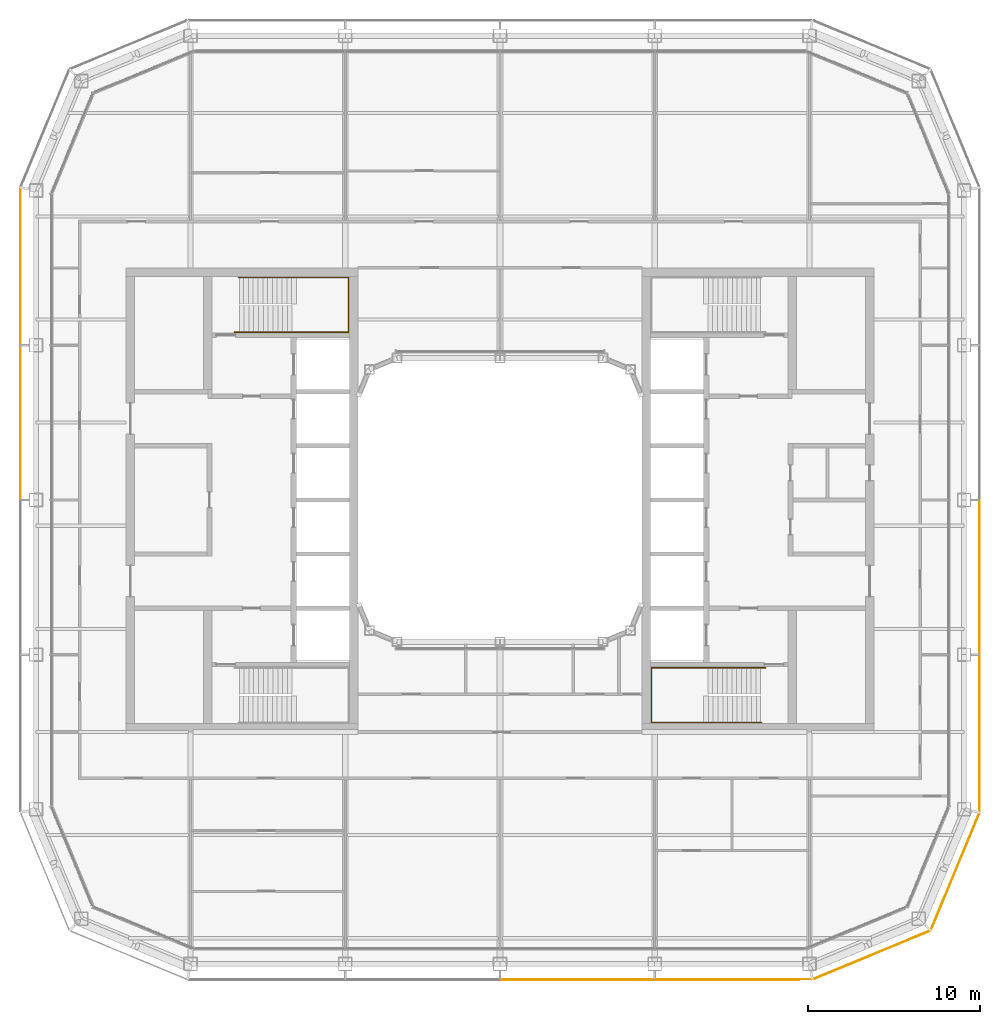
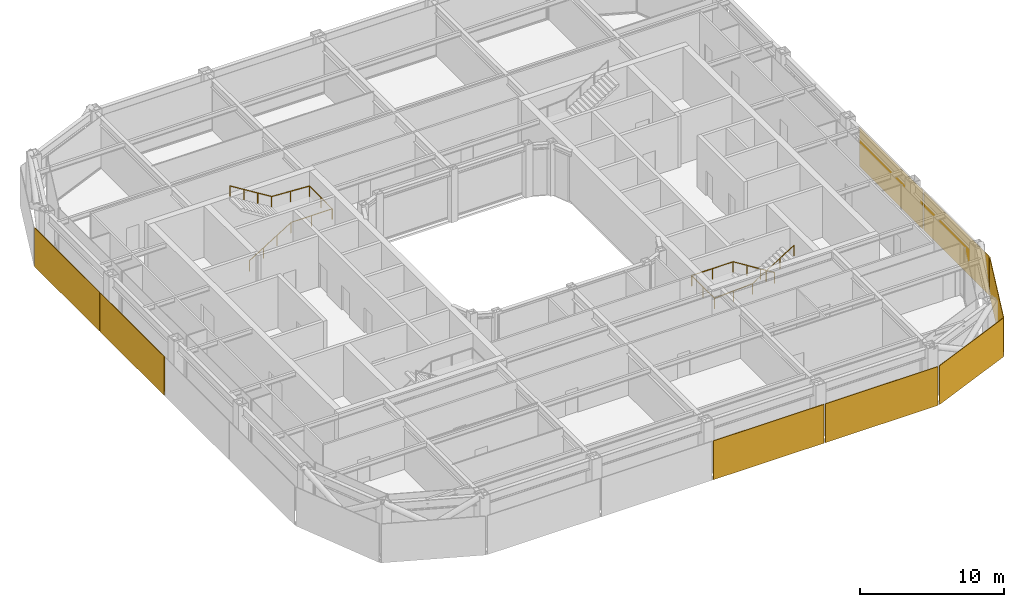
# One storey, part 17 of 19: 8 coverings, 2 railings.
"""IFC4 building model written with IfcOpenShell, lengths in metres."""

import ifcopenshell
import ifcopenshell.guid

model = None  # the IFC model being written
_history = None  # IfcOwnerHistory: only IFC2X3 demands one
_inside = {}  # id of a spatial element -> (the spatial element, [elements in it])
_under = {}  # id of a project, library or spatial element -> (it, [spatial elements below it])
_declared = {}  # id of a project -> (the project, [libraries it declares])
_typed = {}  # id of a type object -> (the type object, [elements of that type])
_made_of = {}  # id of a material, layer set ... -> (it, [elements and type objects made of it])


def new_model(schema):
    """Start an empty IFC model of exactly this schema.

    Asked for "IFC4X3", IfcOpenShell would pick the latest addendum, in which some entities
    have other attributes; the version numbers below select the first issue.
    IFC2X3 requires an IfcOwnerHistory on every rooted entity: one is made here for all.
    """
    global model, _history
    if schema == "IFC4X3":
        model = ifcopenshell.file(schema_version=(4, 3, 0, 0))
    else:
        model = ifcopenshell.file(schema=schema)
    _inside.clear()
    _under.clear()
    _declared.clear()
    _typed.clear()
    _made_of.clear()
    _history = None
    if model.schema == "IFC2X3":
        org = make("IfcOrganization", Name="unknown")
        user = make(
            "IfcPersonAndOrganization",
            ThePerson=make("IfcPerson", FamilyName="unknown"),
            TheOrganization=org,
        )
        app = make(
            "IfcApplication",
            ApplicationDeveloper=org,
            Version="unknown",
            ApplicationFullName="unknown",
            ApplicationIdentifier="unknown",
        )
        _history = make(
            "IfcOwnerHistory",
            OwningUser=user,
            OwningApplication=app,
            ChangeAction="ADDED",
            CreationDate=0,
        )
    return model


def make(cls, **values):
    """One entity of the class cls with the attributes given. An attribute that is None is left unset."""
    return model.create_entity(
        cls, **{name: value for name, value in values.items() if value is not None}
    )


def rooted(cls, **values):
    """An entity with a GlobalId (a new one), such as an element, a storey or a relation."""
    return make(cls, GlobalId=ifcopenshell.guid.new(), OwnerHistory=_history, **values)


def si_unit(unit_type, name, prefix=None):
    """IfcSIUnit, for example si_unit("LENGTHUNIT", "METRE", prefix="MILLI")."""
    return make("IfcSIUnit", UnitType=unit_type, Prefix=prefix, Name=name)


def assignment(units):
    """IfcUnitAssignment: the units of a project."""
    return None if units is None else make("IfcUnitAssignment", Units=units)


def point(xyz):
    """IfcCartesianPoint."""
    return None if xyz is None else make("IfcCartesianPoint", Coordinates=xyz)


def direction(xyz):
    """IfcDirection."""
    return None if xyz is None else make("IfcDirection", DirectionRatios=xyz)


def frame(location, z_axis=None, x_axis=None):
    """IfcAxis2Placement3D, a coordinate frame: its origin and axes. An axis left out is left unset."""
    return make(
        "IfcAxis2Placement3D",
        Location=point(location),
        Axis=direction(z_axis),
        RefDirection=direction(x_axis),
    )


def frame_2d(location, x_axis=None):
    """IfcAxis2Placement2D, a coordinate frame in the plane: its origin and x axis."""
    return make(
        "IfcAxis2Placement2D", Location=point(location), RefDirection=direction(x_axis)
    )


def origin():
    """The frame at (0, 0, 0) with its axes left unset."""
    return frame((0.0, 0.0, 0.0))


def origin_2d():
    """The frame at (0, 0) in the plane with its x axis left unset."""
    return frame_2d((0.0, 0.0))


def place(relative_to, where):
    """IfcLocalPlacement: puts the frame where relative to a parent placement (None: the world)."""
    return make(
        "IfcLocalPlacement", PlacementRelTo=relative_to, RelativePlacement=where
    )


def context(
    kind, dimensions, precision=None, world=None, true_north=None, identifier=None
):
    """IfcGeometricRepresentationContext, for example the 3D "Model" context."""
    return make(
        "IfcGeometricRepresentationContext",
        ContextIdentifier=identifier,
        ContextType=kind,
        CoordinateSpaceDimension=dimensions,
        Precision=precision,
        WorldCoordinateSystem=world,
        TrueNorth=true_north,
    )


def subcontext(parent, identifier, kind, view, scale=None):
    """IfcGeometricRepresentationSubContext, for example "Body" below "Model"."""
    return make(
        "IfcGeometricRepresentationSubContext",
        ContextIdentifier=identifier,
        ContextType=kind,
        ParentContext=parent,
        TargetScale=scale,
        TargetView=view,
    )


def project(units=None, contexts=None):
    """IfcProject with its units and contexts."""
    return rooted(
        "IfcProject",
        Name="project",
        RepresentationContexts=contexts,
        UnitsInContext=assignment(units),
    )


def spatial(cls, under=None, at=None, **own):
    """A site, building, storey or space (cls), placed at a placement, below another one or the project."""
    s = rooted(cls, ObjectPlacement=at, **own)
    if under is not None:
        _under.setdefault(under.id(), (under, []))[1].append(s)
    return s


def profile(cls, at=None, kind="AREA", **sizes):
    """A parametric profile (cls). Its sizes go by their IFC names, for example OverallWidth=200.0."""
    return make(cls, ProfileType=kind, Position=at, **sizes)


def rectangle(**sizes):
    """IfcRectangleProfileDef."""
    return profile("IfcRectangleProfileDef", **sizes)


def circle(**sizes):
    """IfcCircleProfileDef."""
    return profile("IfcCircleProfileDef", **sizes)


def extrude(swept, where, along, depth):
    """IfcExtrudedAreaSolid: the profile swept, set in the frame where, extruded along a direction by depth."""
    return make(
        "IfcExtrudedAreaSolid",
        SweptArea=swept,
        Position=where,
        ExtrudedDirection=direction(along),
        Depth=depth,
    )


def shape(context_of_items, identifier, shape_type, items):
    """IfcShapeRepresentation: the items that make up one representation, for example the "Body"."""
    return make(
        "IfcShapeRepresentation",
        ContextOfItems=context_of_items,
        RepresentationIdentifier=identifier,
        RepresentationType=shape_type,
        Items=items,
    )


def material(Name=None, Category=None):
    """IfcMaterial."""
    return make("IfcMaterial", Name=Name, Category=Category)


def layer(
    of_material, thickness, ventilated=None, Name=None, Category=None, Priority=None
):
    """IfcMaterialLayer: one layer of a wall or slab, of a material (None: an air gap)."""
    return make(
        "IfcMaterialLayer",
        Material=of_material,
        LayerThickness=thickness,
        IsVentilated=ventilated,
        Name=Name,
        Category=Category,
        Priority=Priority,
    )


def layer_set(layers, Name=None):
    """IfcMaterialLayerSet."""
    return make("IfcMaterialLayerSet", MaterialLayers=layers, LayerSetName=Name)


def made_of(thing, what):
    """Note that an element or type object is made of a material, layer set ...; save() writes the relation."""
    if what is not None:
        _made_of.setdefault(what.id(), (what, []))[1].append(thing)
    return thing


def type_object(cls, material=None, **own):
    """A type object (cls), such as IfcWallType, which elements share."""
    return made_of(rooted(cls, **own), material)


def element(
    cls,
    number,
    at=None,
    inside=None,
    cuts=None,
    type_object=None,
    material=None,
    context=None,
    identifier="Body",
    shape_type=None,
    held_by="IfcProductDefinitionShape",
    body=None,
    shapes=None,
    **own,
):
    """One element of the class cls, such as IfcWall. Its Tag is "e" and its number.

    at: its placement. inside: the storey or other place that contains it. cuts: it is an
    opening in that element (IfcRelVoidsElement). A single representation is given by context,
    identifier, shape_type and body (its items); several are given by shapes. held_by: the class
    of the entity that holds the representations. save() writes the other relations.
    """
    e = rooted(cls, Tag="e%d" % number, ObjectPlacement=at, **own)
    if body is not None:
        shapes = [shape(context, identifier, shape_type, body)]
    if shapes is not None:
        e.Representation = make(held_by, Representations=shapes)
    if inside is not None:
        _inside.setdefault(inside.id(), (inside, []))[1].append(e)
    if cuts is not None:
        rooted(
            "IfcRelVoidsElement", RelatingBuildingElement=cuts, RelatedOpeningElement=e
        )
    if type_object is not None:
        _typed.setdefault(type_object.id(), (type_object, []))[1].append(e)
    return made_of(e, material)


def aggregate(whole, parts):
    """IfcRelAggregates: a whole, such as a stair, and the parts it consists of."""
    return rooted("IfcRelAggregates", RelatingObject=whole, RelatedObjects=parts)


def save(model, path):
    """Write the relations noted so far, then the file.

    IfcRelAggregates (storeys below a building ...), IfcRelContainedInSpatialStructure (elements
    in a storey), IfcRelDefinesByType, IfcRelAssociatesMaterial and IfcRelDeclares: one each for
    every whole, place, type object, material and project.
    """
    for whole, parts in _under.values():
        aggregate(whole, parts)
    for where, things in _inside.values():
        rooted(
            "IfcRelContainedInSpatialStructure",
            RelatedElements=things,
            RelatingStructure=where,
        )
    for kind, things in _typed.values():
        rooted("IfcRelDefinesByType", RelatedObjects=things, RelatingType=kind)
    for what, things in _made_of.values():
        rooted("IfcRelAssociatesMaterial", RelatedObjects=things, RelatingMaterial=what)
    for by, libraries in _declared.values():
        rooted("IfcRelDeclares", RelatingContext=by, RelatedDefinitions=libraries)
    model.write(path)


model = new_model("IFC4")

# Units and contexts
model_context = context("Model", 3, precision=1e-05, world=origin(), true_north=direction((0.0, 1.0)))
body_context = subcontext(model_context, "Body", "Model", "MODEL_VIEW")
ifc_project = project(units=[si_unit("LENGTHUNIT", "METRE"), si_unit("AREAUNIT", "SQUARE_METRE"), si_unit("VOLUMEUNIT", "CUBIC_METRE"), si_unit("PLANEANGLEUNIT", "RADIAN"), si_unit("MASSUNIT", "GRAM", prefix="KILO")], contexts=[model_context])

# Site, building, storey
site_placement = place(None, origin())
site = spatial("IfcSite", under=ifc_project, at=site_placement, CompositionType="ELEMENT")
building_placement = place(site_placement, origin())
building = spatial("IfcBuilding", under=site, at=building_placement, Name="Siwar Civic Tower", CompositionType="ELEMENT")
storey_placement = place(building_placement, frame((0.0, 0.0, 264.699951171875)))
storey = spatial("IfcBuildingStorey", under=building, at=storey_placement, Name="L57", CompositionType="ELEMENT", Elevation=264.699951171875)

# Railings
ifc_material_1 = material(Name="Stainless steel", Category="steel")
railing_type = type_object("IfcRailingType", Name="CORE-STAIR-HANDRAIL", PredefinedType="HANDRAIL", material=ifc_material_1)
railing_1_placement = place(storey_placement, frame((-15.449951171875, 9.758056640625, 0.173095703125)))
element("IfcRailing", 1, at=railing_1_placement, inside=storey, type_object=railing_type, Name="Stair handrail ST1", PredefinedType="HANDRAIL", context=body_context, shape_type="SweptSolid", body=[
    extrude(circle(Radius=0.02001953125, at=origin_2d()), frame((0.0, 0.0, 0.8798828125), z_axis=(0.847063342986, 0.0, 0.531491950051), x_axis=(0.0, 1.0, 0.0)), (0.0, 0.0, 1.0), 3.90771484375),
    extrude(circle(Radius=0.02001953125, at=origin_2d()), frame((3.31005859375, 0.0, 2.956787109375), z_axis=(1.0, 0.0, 0.0), x_axis=(0.0, 1.0, 0.0)), (0.0, 0.0, 1.0), 3.331787109375),
    extrude(circle(Radius=0.02001953125, at=origin_2d()), frame((6.641845703125, 0.0, 2.956787109375), z_axis=(0.0, 1.0, 0.0), x_axis=(-1.0, 0.0, 0.0)), (0.0, 0.0, 1.0), 3.183837890625),
    extrude(circle(Radius=0.02001953125, at=origin_2d()), frame((6.641845703125, 3.183837890625, 2.956787109375), z_axis=(-0.99837434197, 0.0, 0.056997134106), x_axis=(0.0, -1.0, 0.0)), (0.0, 0.0, 1.0), 3.036865234375),
    extrude(circle(Radius=0.02001953125, at=origin_2d()), frame((3.60986328125, 3.183837890625, 3.1298828125), z_axis=(-0.850606129759, 0.0, 0.525803396734), x_axis=(0.0, -1.0, 0.0)), (0.0, 0.0, 1.0), 3.949951171875),
    extrude(circle(Radius=0.02001953125, at=origin_2d()), origin(), (0.0, 0.0, 1.0), 0.85986328125),
    extrude(circle(Radius=0.02001953125, at=origin_2d()), frame((1.103271484375, 0.0, 0.6923828125)), (0.0, 0.0, 1.0), 0.85986328125),
    extrude(circle(Radius=0.02001953125, at=origin_2d()), frame((2.206787109375, 0.0, 1.384521484375)), (0.0, 0.0, 1.0), 0.85986328125),
    extrude(circle(Radius=0.02001953125, at=origin_2d()), frame((3.31005859375, 0.0, 2.076904296875)), (0.0, 0.0, 1.0), 0.85986328125),
    extrude(circle(Radius=0.02001953125, at=origin_2d()), frame((4.97607421875, 0.0, 2.076904296875)), (0.0, 0.0, 1.0), 0.85986328125),
    extrude(circle(Radius=0.02001953125, at=origin_2d()), frame((6.641845703125, 0.0, 2.076904296875)), (0.0, 0.0, 1.0), 0.85986328125),
    extrude(circle(Radius=0.02001953125, at=origin_2d()), frame((6.641845703125, 1.591796875, 2.076904296875)), (0.0, 0.0, 1.0), 0.85986328125),
    extrude(circle(Radius=0.02001953125, at=origin_2d()), frame((6.641845703125, 3.183837890625, 2.076904296875)), (0.0, 0.0, 1.0), 0.85986328125),
    extrude(circle(Radius=0.02001953125, at=origin_2d()), frame((5.1259765625, 3.183837890625, 2.16357421875)), (0.0, 0.0, 1.0), 0.85986328125),
    extrude(circle(Radius=0.02001953125, at=origin_2d()), frame((3.60986328125, 3.183837890625, 2.25)), (0.0, 0.0, 1.0), 0.85986328125),
    extrude(circle(Radius=0.02001953125, at=origin_2d()), frame((2.489990234375, 3.183837890625, 2.9423828125)), (0.0, 0.0, 1.0), 0.85986328125),
    extrude(circle(Radius=0.02001953125, at=origin_2d()), frame((1.369873046875, 3.183837890625, 3.634521484375)), (0.0, 0.0, 1.0), 0.85986328125),
    extrude(circle(Radius=0.02001953125, at=origin_2d()), frame((0.25, 3.183837890625, 4.326904296875)), (0.0, 0.0, 1.0), 0.85986328125),
])
railing_2_placement = place(storey_placement, frame((15.449951171875, -9.758056640625, 0.173095703125)))
element("IfcRailing", 2, at=railing_2_placement, inside=storey, type_object=railing_type, Name="Stair handrail ST4", PredefinedType="HANDRAIL", context=body_context, shape_type="SweptSolid", body=[
    extrude(circle(Radius=0.02001953125, at=origin_2d()), frame((0.0, 0.0, 0.8798828125), z_axis=(-0.847063342986, 0.0, 0.531491950051), x_axis=(0.0, -1.0, 0.0)), (0.0, 0.0, 1.0), 3.90771484375),
    extrude(circle(Radius=0.02001953125, at=origin_2d()), frame((-3.31005859375, 0.0, 2.956787109375), z_axis=(-1.0, 0.0, 0.0), x_axis=(0.0, -1.0, 0.0)), (0.0, 0.0, 1.0), 3.331787109375),
    extrude(circle(Radius=0.02001953125, at=origin_2d()), frame((-6.641845703125, 0.0, 2.956787109375), z_axis=(0.0, -1.0, 0.0), x_axis=(1.0, 0.0, 0.0)), (0.0, 0.0, 1.0), 3.183837890625),
    extrude(circle(Radius=0.02001953125, at=origin_2d()), frame((-6.641845703125, -3.183837890625, 2.956787109375), z_axis=(0.99837434197, 0.0, 0.056997134106), x_axis=(0.0, 1.0, 0.0)), (0.0, 0.0, 1.0), 3.036865234375),
    extrude(circle(Radius=0.02001953125, at=origin_2d()), frame((-3.60986328125, -3.183837890625, 3.1298828125), z_axis=(0.850606129759, 0.0, 0.525803396734), x_axis=(0.0, 1.0, 0.0)), (0.0, 0.0, 1.0), 3.949951171875),
    extrude(circle(Radius=0.02001953125, at=origin_2d()), origin(), (0.0, 0.0, 1.0), 0.85986328125),
    extrude(circle(Radius=0.02001953125, at=origin_2d()), frame((-1.103271484375, 0.0, 0.6923828125)), (0.0, 0.0, 1.0), 0.85986328125),
    extrude(circle(Radius=0.02001953125, at=origin_2d()), frame((-2.206787109375, 0.0, 1.384521484375)), (0.0, 0.0, 1.0), 0.85986328125),
    extrude(circle(Radius=0.02001953125, at=origin_2d()), frame((-3.31005859375, 0.0, 2.076904296875)), (0.0, 0.0, 1.0), 0.85986328125),
    extrude(circle(Radius=0.02001953125, at=origin_2d()), frame((-4.97607421875, 0.0, 2.076904296875)), (0.0, 0.0, 1.0), 0.85986328125),
    extrude(circle(Radius=0.02001953125, at=origin_2d()), frame((-6.641845703125, 0.0, 2.076904296875)), (0.0, 0.0, 1.0), 0.85986328125),
    extrude(circle(Radius=0.02001953125, at=origin_2d()), frame((-6.641845703125, -1.591796875, 2.076904296875)), (0.0, 0.0, 1.0), 0.85986328125),
    extrude(circle(Radius=0.02001953125, at=origin_2d()), frame((-6.641845703125, -3.183837890625, 2.076904296875)), (0.0, 0.0, 1.0), 0.85986328125),
    extrude(circle(Radius=0.02001953125, at=origin_2d()), frame((-5.1259765625, -3.183837890625, 2.16357421875)), (0.0, 0.0, 1.0), 0.85986328125),
    extrude(circle(Radius=0.02001953125, at=origin_2d()), frame((-3.60986328125, -3.183837890625, 2.25)), (0.0, 0.0, 1.0), 0.85986328125),
    extrude(circle(Radius=0.02001953125, at=origin_2d()), frame((-2.489990234375, -3.183837890625, 2.9423828125)), (0.0, 0.0, 1.0), 0.85986328125),
    extrude(circle(Radius=0.02001953125, at=origin_2d()), frame((-1.369873046875, -3.183837890625, 3.634521484375)), (0.0, 0.0, 1.0), 0.85986328125),
    extrude(circle(Radius=0.02001953125, at=origin_2d()), frame((-0.25, -3.183837890625, 4.326904296875)), (0.0, 0.0, 1.0), 0.85986328125),
])

# Coverings
ifc_material_2 = material(Name="Perforated aluminium cassette, pale metal", Category="aluminium")
ifc_layer_1 = layer(ifc_material_2, 0.0400390625)
ifc_layer_set_1 = layer_set([ifc_layer_1], Name="Perforated aluminium cassette, pale metal")
covering_type_1 = type_object("IfcCoveringType", Name="ENV-OUTER SKIN OS-1", PredefinedType="CLADDING", material=ifc_layer_set_1)
covering_1_placement = place(storey_placement, frame((27.89990234375, -13.57958984375, -0.14990234375), z_axis=(0.0, 0.0, 1.0), x_axis=(0.0, 1.0, 0.0)))
element("IfcCovering", 3, at=covering_1_placement, inside=storey, type_object=covering_type_1, Name="OUTER SKIN OS-1 E 1", PredefinedType="CLADDING", context=body_context, shape_type="SweptSolid", body=[
    extrude(rectangle(XDim=9.05908203125, YDim=0.0400390625, at=origin_2d()), origin(), (0.0, 0.0, 1.0), 3.300048828125),
])
covering_2_placement = place(storey_placement, frame((27.89990234375, -4.5, -0.14990234375), z_axis=(0.0, 0.0, 1.0), x_axis=(0.0, 1.0, 0.0)))
element("IfcCovering", 4, at=covering_2_placement, inside=storey, type_object=covering_type_1, Name="OUTER SKIN OS-1 E 2", PredefinedType="CLADDING", context=body_context, shape_type="SweptSolid", body=[
    extrude(rectangle(XDim=8.89990234375, YDim=0.0400390625, at=origin_2d()), origin(), (0.0, 0.0, 1.0), 3.300048828125),
])
ifc_material_3 = material(Name="Perforated aluminium cassette, pale metal", Category="aluminium")
ifc_layer_2 = layer(ifc_material_3, 0.044921875)
ifc_layer_set_2 = layer_set([ifc_layer_2], Name="Perforated aluminium cassette, pale metal")
covering_type_2 = type_object("IfcCoveringType", Name="ENV-OUTER SKIN OS-2", PredefinedType="CLADDING", material=ifc_layer_set_2)
covering_3_placement = place(storey_placement, frame((26.476318359375, -21.615966796875, -0.14990234375), z_axis=(0.0, 0.0, 1.0), x_axis=(0.382683432365, 0.923879532511, 0.0)))
element("IfcCovering", 5, at=covering_3_placement, inside=storey, type_object=covering_type_2, Name="OUTER SKIN OS-2 SE2 1", PredefinedType="CLADDING", context=body_context, shape_type="SweptSolid", body=[
    extrude(rectangle(XDim=7.300048828125, YDim=0.044921875, at=origin_2d()), origin(), (0.0, 0.0, 1.0), 3.300048828125),
])
ifc_material_4 = material(Name="Perforated aluminium cassette, pale metal", Category="aluminium")
ifc_layer_3 = layer(ifc_material_4, 0.050048828125)
ifc_layer_set_3 = layer_set([ifc_layer_3], Name="Perforated aluminium cassette, pale metal")
covering_type_3 = type_object("IfcCoveringType", Name="ENV-OUTER SKIN OS-3", PredefinedType="CLADDING", material=ifc_layer_set_3)
covering_4_placement = place(storey_placement, frame((21.615966796875, -26.476318359375, -0.14990234375), z_axis=(0.0, 0.0, 1.0), x_axis=(0.923879532511, 0.382683432365, 0.0)))
element("IfcCovering", 6, at=covering_4_placement, inside=storey, type_object=covering_type_3, Name="OUTER SKIN OS-3 SE1 1", PredefinedType="CLADDING", context=body_context, shape_type="SweptSolid", body=[
    extrude(rectangle(XDim=7.300048828125, YDim=0.050048828125, at=origin_2d()), origin(), (0.0, 0.0, 1.0), 3.300048828125),
])
covering_5_placement = place(storey_placement, frame((-27.89990234375, 13.57958984375, -0.14990234375), z_axis=(0.0, 0.0, 1.0), x_axis=(0.0, -1.0, 0.0)))
element("IfcCovering", 7, at=covering_5_placement, inside=storey, type_object=covering_type_3, Name="OUTER SKIN OS-3 W 1", PredefinedType="CLADDING", context=body_context, shape_type="SweptSolid", body=[
    extrude(rectangle(XDim=9.05908203125, YDim=0.050048828125, at=origin_2d()), origin(), (0.0, 0.0, 1.0), 3.300048828125),
])
covering_6_placement = place(storey_placement, frame((-27.89990234375, 4.5, -0.14990234375), z_axis=(0.0, 0.0, 1.0), x_axis=(0.0, -1.0, 0.0)))
element("IfcCovering", 8, at=covering_6_placement, inside=storey, type_object=covering_type_3, Name="OUTER SKIN OS-3 W 2", PredefinedType="CLADDING", context=body_context, shape_type="SweptSolid", body=[
    extrude(rectangle(XDim=8.89990234375, YDim=0.050048828125, at=origin_2d()), origin(), (0.0, 0.0, 1.0), 3.300048828125),
])
ifc_material_5 = material(Name="Perforated aluminium cassette, pale metal", Category="aluminium")
ifc_layer_4 = layer(ifc_material_5, 0.054931640625)
ifc_layer_set_4 = layer_set([ifc_layer_4], Name="Perforated aluminium cassette, pale metal")
covering_type_4 = type_object("IfcCoveringType", Name="ENV-OUTER SKIN OS-4", PredefinedType="CLADDING", material=ifc_layer_set_4)
covering_7_placement = place(storey_placement, frame((4.5, -27.89990234375, -0.14990234375), z_axis=(0.0, 0.0, 1.0), x_axis=(1.0, 0.0, 0.0)))
element("IfcCovering", 9, at=covering_7_placement, inside=storey, type_object=covering_type_4, Name="OUTER SKIN OS-4 S 3", PredefinedType="CLADDING", context=body_context, shape_type="SweptSolid", body=[
    extrude(rectangle(XDim=8.89990234375, YDim=0.054931640625, at=origin_2d()), origin(), (0.0, 0.0, 1.0), 3.300048828125),
])
covering_8_placement = place(storey_placement, frame((13.57958984375, -27.89990234375, -0.14990234375), z_axis=(0.0, 0.0, 1.0), x_axis=(1.0, 0.0, 0.0)))
element("IfcCovering", 10, at=covering_8_placement, inside=storey, type_object=covering_type_4, Name="OUTER SKIN OS-4 S 4", PredefinedType="CLADDING", context=body_context, shape_type="SweptSolid", body=[
    extrude(rectangle(XDim=9.05908203125, YDim=0.054931640625, at=origin_2d()), origin(), (0.0, 0.0, 1.0), 3.300048828125),
])

save(model, "model.ifc")
